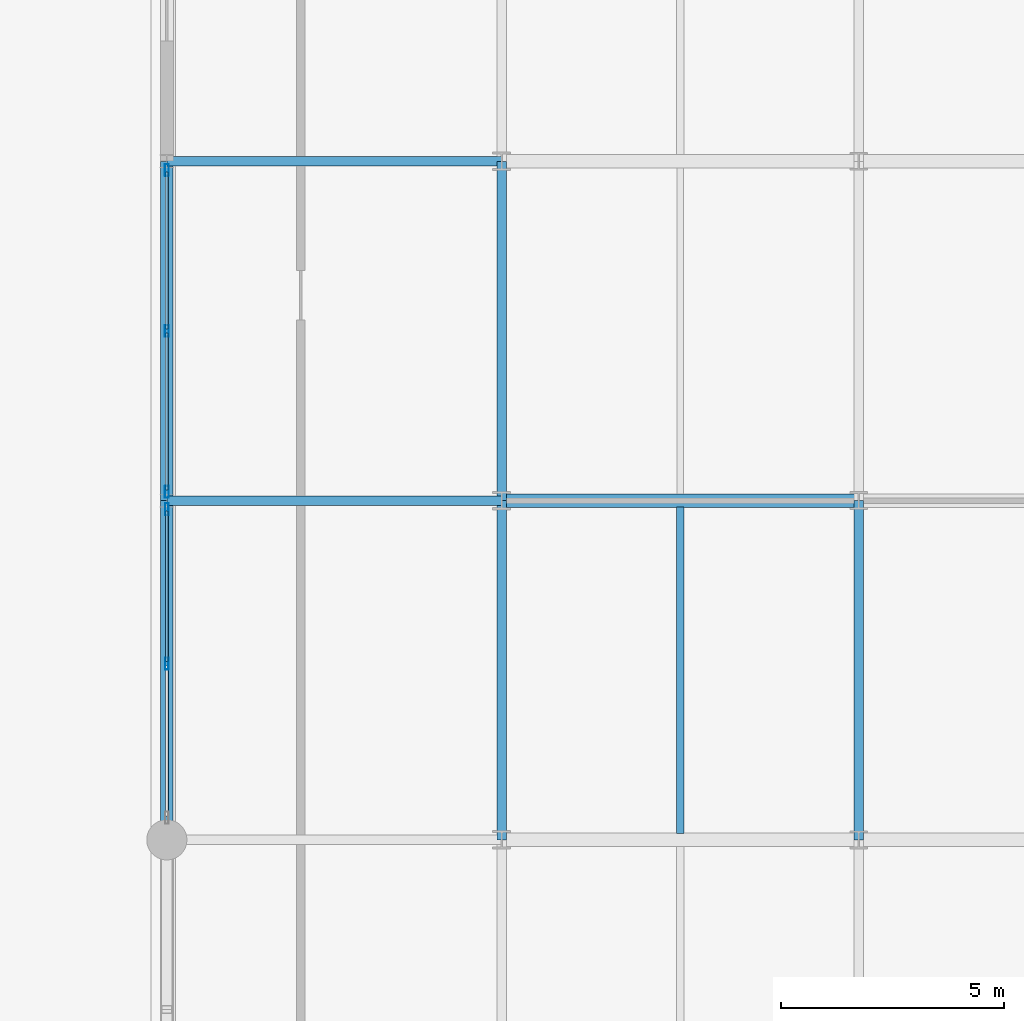
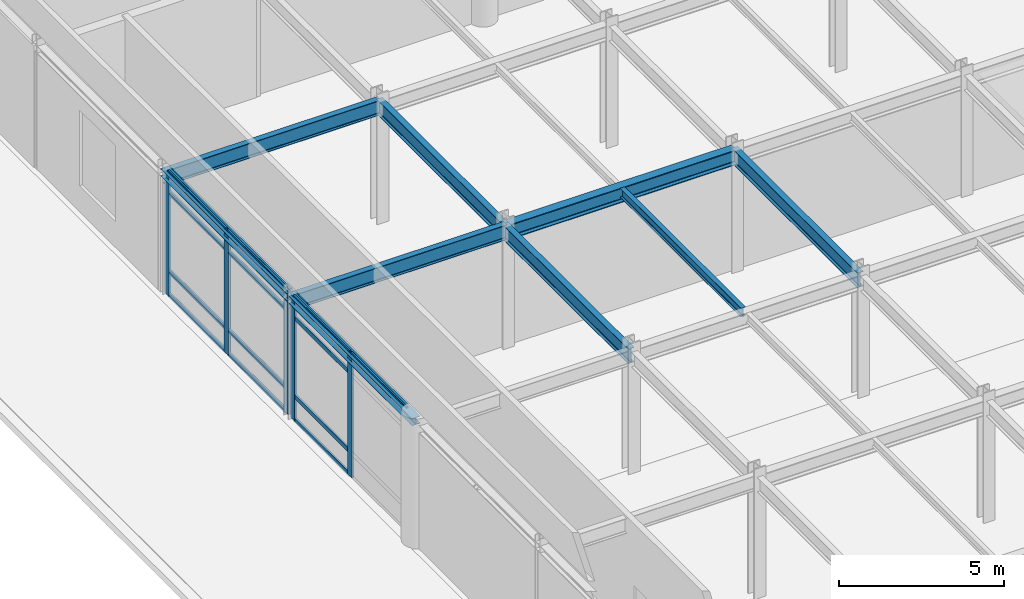
# One storey, part 15 of 43: 18 members, 9 beams, 2 elements without a shape of their own.
"""IFC4 building model written with IfcOpenShell, lengths in metres."""

from ifc_helpers import new_model, si_unit, direction, frame, origin, origin_2d, place, context, subcontext, project, spatial, hollow_rectangle, i_section, extrude, material, layer, layer_set, material_profile, profile_set, type_object, element, aggregate, save


model = new_model("IFC4")

# Units and contexts
model_context = context("Model", 3, precision=1e-05, world=origin(), true_north=direction((0.0, 1.0)))
body_context = subcontext(model_context, "Body", "Model", "MODEL_VIEW")
ifc_project = project(units=[si_unit("LENGTHUNIT", "METRE"), si_unit("AREAUNIT", "SQUARE_METRE"), si_unit("VOLUMEUNIT", "CUBIC_METRE"), si_unit("PLANEANGLEUNIT", "RADIAN"), si_unit("MASSUNIT", "GRAM", prefix="KILO")], contexts=[model_context])

# Site, building, storey
site_placement = place(None, origin())
site = spatial("IfcSite", under=ifc_project, at=site_placement, CompositionType="ELEMENT")
building_placement = place(site_placement, origin())
building = spatial("IfcBuilding", under=site, at=building_placement, Name="Shalkamar Park Central Library", CompositionType="ELEMENT")
storey_placement = place(building_placement, frame((0.0, 0.0, 15.60009765625)))
storey = spatial("IfcBuildingStorey", under=building, at=storey_placement, Name="L04", CompositionType="ELEMENT", Elevation=15.60009765625)

# Beam
ifc_material_1 = material(Name="Steel S355", Category="steel")
ifc_material_profile_1 = material_profile(ifc_material_1, i_section(OverallWidth=0.159912109375, OverallDepth=0.330078125, WebThickness=0.007568359375, FlangeThickness=0.011474609375, FilletRadius=0.01806640625, at=origin_2d()), Name="IPE 330")
ifc_profile_set_1 = profile_set([ifc_material_profile_1], Name="Steel S355")
beam_type_1 = type_object("IfcBeamType", Name="Composite Floor Joist IPE330", PredefinedType="JOIST", material=ifc_profile_set_1)
beam_1_placement = place(storey_placement, frame((169.0, 278.14794921875, 4.31494140625), z_axis=(0.0, 1.0, 0.0), x_axis=(-1.0, 0.0, 0.0)))
element("IfcBeam", 1, at=beam_1_placement, inside=storey, type_object=beam_type_1, Name="Composite Joist 07/F-1 (L04)", PredefinedType="JOIST", context=body_context, shape_type="SweptSolid", body=[
    extrude(i_section(OverallWidth=0.159912109375, OverallDepth=0.330078125, WebThickness=0.007568359375, FlangeThickness=0.011474609375, FilletRadius=0.01806640625, at=origin_2d()), origin(), (0.0, 0.0, 1.0), 7.303955078125),
])

# Curtain wall, members
ifc_material_2 = material(Name="Thermally broken aluminium and triple low-e curtain wall", Category="aluminium")
ifc_layer_1 = layer(ifc_material_2, 0.27001953125)
ifc_layer_set_1 = layer_set([ifc_layer_1], Name="UnitisedCurtainWall_63")
curtain_wall_type_1 = type_object("IfcCurtainWallType", Name="Unitised Curtain Wall 63", PredefinedType="USERDEFINED", material=ifc_layer_set_1)
curtain_wall_1_placement = place(storey_placement, origin())
curtain_wall_1 = element("IfcCurtainWall", 2, at=curtain_wall_1_placement, inside=storey, type_object=curtain_wall_type_1, Name="Unitised Curtain Wall CW-L04-078", ObjectType="UNITISED CURTAIN WALL", PredefinedType="USERDEFINED")
ifc_material_3 = material(Name="Aluminium 6060-T66", Category="aluminium")
ifc_material_profile_2 = material_profile(ifc_material_3, hollow_rectangle(XDim=0.080078125, YDim=0.27001953125, WallThickness=0.0048828125, InnerFilletRadius=0.0048828125, OuterFilletRadius=0.007568359375, at=origin_2d()), Name="ALU 80x270x5")
ifc_profile_set_2 = profile_set([ifc_material_profile_2], Name="Aluminium 6060-T66")
member_type_1 = type_object("IfcMemberType", Name="Curtain Wall Mullion ALU80x270", PredefinedType="MULLION", material=ifc_profile_set_2)
member_1_placement = place(storey_placement, frame((157.5, 281.949951171875, 0.0), z_axis=(0.0, 0.0, 1.0), x_axis=(-1.0, 0.0, 0.0)))
member_1 = element("IfcMember", 3, at=member_1_placement, type_object=member_type_1, Name="CW-63 mullion 2", PredefinedType="MULLION", context=body_context, shape_type="SweptSolid", body=[
    extrude(hollow_rectangle(XDim=0.080078125, YDim=0.27001953125, WallThickness=0.0048828125, InnerFilletRadius=0.0048828125, OuterFilletRadius=0.007568359375, at=origin_2d()), origin(), (0.0, 0.0, 1.0), 4.5498046875),
])
member_2_placement = place(storey_placement, frame((157.5, 285.406005859375, 0.0), z_axis=(0.0, 0.0, 1.0), x_axis=(-1.0, 0.0, 0.0)))
member_2 = element("IfcMember", 4, at=member_2_placement, type_object=member_type_1, Name="CW-63 mullion 3", PredefinedType="MULLION", context=body_context, shape_type="SweptSolid", body=[
    extrude(hollow_rectangle(XDim=0.080078125, YDim=0.27001953125, WallThickness=0.0048828125, InnerFilletRadius=0.0048828125, OuterFilletRadius=0.007568359375, at=origin_2d()), origin(), (0.0, 0.0, 1.0), 4.5498046875),
])

ifc_layer_2 = layer(ifc_material_2, 0.264892578125)
ifc_layer_set_2 = layer_set([ifc_layer_2], Name="UnitisedCurtainWall_64")
curtain_wall_type_2 = type_object("IfcCurtainWallType", Name="Unitised Curtain Wall 64", PredefinedType="USERDEFINED", material=ifc_layer_set_2)
curtain_wall_2_placement = place(storey_placement, origin())
curtain_wall_2 = element("IfcCurtainWall", 5, at=curtain_wall_2_placement, inside=storey, type_object=curtain_wall_type_2, Name="Unitised Curtain Wall CW-L04-079", ObjectType="UNITISED CURTAIN WALL", PredefinedType="USERDEFINED")
ifc_material_profile_3 = material_profile(ifc_material_3, hollow_rectangle(XDim=0.0849609375, YDim=0.264892578125, WallThickness=0.0048828125, InnerFilletRadius=0.0048828125, OuterFilletRadius=0.007568359375, at=origin_2d()), Name="ALU 85x265x5")
ifc_profile_set_3 = profile_set([ifc_material_profile_3], Name="Aluminium 6060-T66")
member_type_2 = type_object("IfcMemberType", Name="Curtain Wall Mullion ALU85x265", PredefinedType="MULLION", material=ifc_profile_set_3)
member_3_placement = place(storey_placement, frame((157.5, 285.79638671875, 0.0), z_axis=(0.0, 0.0, 1.0), x_axis=(-1.0, 0.0, 0.0)))
member_3 = element("IfcMember", 6, at=member_3_placement, type_object=member_type_2, Name="CW-64 mullion 1", PredefinedType="MULLION", context=body_context, shape_type="SweptSolid", body=[
    extrude(hollow_rectangle(XDim=0.0849609375, YDim=0.264892578125, WallThickness=0.0048828125, InnerFilletRadius=0.0048828125, OuterFilletRadius=0.007568359375, at=origin_2d()), origin(), (0.0, 0.0, 1.0), 4.5498046875),
])
member_4_placement = place(storey_placement, frame((157.5, 289.39990234375, 0.0), z_axis=(0.0, 0.0, 1.0), x_axis=(-1.0, 0.0, 0.0)))
member_4 = element("IfcMember", 7, at=member_4_placement, type_object=member_type_2, Name="CW-64 mullion 2", PredefinedType="MULLION", context=body_context, shape_type="SweptSolid", body=[
    extrude(hollow_rectangle(XDim=0.0849609375, YDim=0.264892578125, WallThickness=0.0048828125, InnerFilletRadius=0.0048828125, OuterFilletRadius=0.007568359375, at=origin_2d()), origin(), (0.0, 0.0, 1.0), 4.5498046875),
])
member_5_placement = place(storey_placement, frame((157.5, 293.00341796875, 0.0), z_axis=(0.0, 0.0, 1.0), x_axis=(-1.0, 0.0, 0.0)))
member_5 = element("IfcMember", 8, at=member_5_placement, type_object=member_type_2, Name="CW-64 mullion 3", PredefinedType="MULLION", context=body_context, shape_type="SweptSolid", body=[
    extrude(hollow_rectangle(XDim=0.0849609375, YDim=0.264892578125, WallThickness=0.0048828125, InnerFilletRadius=0.0048828125, OuterFilletRadius=0.007568359375, at=origin_2d()), origin(), (0.0, 0.0, 1.0), 4.5498046875),
])

# Member
ifc_material_profile_4 = material_profile(ifc_material_3, hollow_rectangle(XDim=0.06494140625, YDim=0.175048828125, WallThickness=0.00439453125, InnerFilletRadius=0.00439453125, OuterFilletRadius=0.0068359375, at=origin_2d()), Name="ALU 65x175x4.5")
ifc_profile_set_4 = profile_set([ifc_material_profile_4], Name="Aluminium 6060-T66")
member_type_3 = type_object("IfcMemberType", Name="Curtain Wall Transom ALU65x175", PredefinedType="USERDEFINED", material=ifc_profile_set_4)
member_6_placement = place(storey_placement, frame((157.5, 278.533935546875, 4.517333984375), z_axis=(0.0, 1.0, 0.0), x_axis=(-1.0, 0.0, 0.0)))
member_6 = element("IfcMember", 9, at=member_6_placement, type_object=member_type_3, Name="CW-63 transom 1.4", ObjectType="TRANSOM", PredefinedType="USERDEFINED", context=body_context, shape_type="SweptSolid", body=[
    extrude(hollow_rectangle(XDim=0.06494140625, YDim=0.175048828125, WallThickness=0.00439453125, InnerFilletRadius=0.00439453125, OuterFilletRadius=0.0068359375, at=origin_2d()), origin(), (0.0, 0.0, 1.0), 3.3759765625),
])

member_7_placement = place(storey_placement, frame((157.5, 281.989990234375, 0.032470703125), z_axis=(0.0, 1.0, 0.0), x_axis=(-1.0, 0.0, 0.0)))
member_7 = element("IfcMember", 10, at=member_7_placement, type_object=member_type_3, Name="CW-63 transom 2.1", ObjectType="TRANSOM", PredefinedType="USERDEFINED", context=body_context, shape_type="SweptSolid", body=[
    extrude(hollow_rectangle(XDim=0.06494140625, YDim=0.175048828125, WallThickness=0.00439453125, InnerFilletRadius=0.00439453125, OuterFilletRadius=0.0068359375, at=origin_2d()), origin(), (0.0, 0.0, 1.0), 3.3759765625),
])

member_8_placement = place(storey_placement, frame((157.5, 281.989990234375, 0.89990234375), z_axis=(0.0, 1.0, 0.0), x_axis=(-1.0, 0.0, 0.0)))
member_8 = element("IfcMember", 11, at=member_8_placement, type_object=member_type_3, Name="CW-63 transom 2.2", ObjectType="TRANSOM", PredefinedType="USERDEFINED", context=body_context, shape_type="SweptSolid", body=[
    extrude(hollow_rectangle(XDim=0.06494140625, YDim=0.175048828125, WallThickness=0.00439453125, InnerFilletRadius=0.00439453125, OuterFilletRadius=0.0068359375, at=origin_2d()), origin(), (0.0, 0.0, 1.0), 3.3759765625),
])

member_9_placement = place(storey_placement, frame((157.5, 281.989990234375, 3.7998046875), z_axis=(0.0, 1.0, 0.0), x_axis=(-1.0, 0.0, 0.0)))
member_9 = element("IfcMember", 12, at=member_9_placement, type_object=member_type_3, Name="CW-63 transom 2.3", ObjectType="TRANSOM", PredefinedType="USERDEFINED", context=body_context, shape_type="SweptSolid", body=[
    extrude(hollow_rectangle(XDim=0.06494140625, YDim=0.175048828125, WallThickness=0.00439453125, InnerFilletRadius=0.00439453125, OuterFilletRadius=0.0068359375, at=origin_2d()), origin(), (0.0, 0.0, 1.0), 3.3759765625),
])

member_10_placement = place(storey_placement, frame((157.5, 281.989990234375, 4.517333984375), z_axis=(0.0, 1.0, 0.0), x_axis=(-1.0, 0.0, 0.0)))
member_10 = element("IfcMember", 13, at=member_10_placement, type_object=member_type_3, Name="CW-63 transom 2.4", ObjectType="TRANSOM", PredefinedType="USERDEFINED", context=body_context, shape_type="SweptSolid", body=[
    extrude(hollow_rectangle(XDim=0.06494140625, YDim=0.175048828125, WallThickness=0.00439453125, InnerFilletRadius=0.00439453125, OuterFilletRadius=0.0068359375, at=origin_2d()), origin(), (0.0, 0.0, 1.0), 3.3759765625),
])

aggregate(curtain_wall_1, [member_1, member_2, member_6, member_7, member_8, member_9, member_10])

ifc_material_profile_5 = material_profile(ifc_material_3, hollow_rectangle(XDim=0.070068359375, YDim=0.179931640625, WallThickness=0.00439453125, InnerFilletRadius=0.00439453125, OuterFilletRadius=0.0068359375, at=origin_2d()), Name="ALU 70x180x4.5")
ifc_profile_set_5 = profile_set([ifc_material_profile_5], Name="Aluminium 6060-T66")
member_type_4 = type_object("IfcMemberType", Name="Curtain Wall Transom ALU70x180", PredefinedType="USERDEFINED", material=ifc_profile_set_5)
member_11_placement = place(storey_placement, frame((157.5, 285.839111328125, 0.034912109375), z_axis=(0.0, 1.0, 0.0), x_axis=(-1.0, 0.0, 0.0)))
member_11 = element("IfcMember", 14, at=member_11_placement, type_object=member_type_4, Name="CW-64 transom 1.1", ObjectType="TRANSOM", PredefinedType="USERDEFINED", context=body_context, shape_type="SweptSolid", body=[
    extrude(hollow_rectangle(XDim=0.070068359375, YDim=0.179931640625, WallThickness=0.00439453125, InnerFilletRadius=0.00439453125, OuterFilletRadius=0.0068359375, at=origin_2d()), origin(), (0.0, 0.0, 1.0), 3.518310546875),
])

member_12_placement = place(storey_placement, frame((157.5, 285.839111328125, 0.89990234375), z_axis=(0.0, 1.0, 0.0), x_axis=(-1.0, 0.0, 0.0)))
member_12 = element("IfcMember", 15, at=member_12_placement, type_object=member_type_4, Name="CW-64 transom 1.2", ObjectType="TRANSOM", PredefinedType="USERDEFINED", context=body_context, shape_type="SweptSolid", body=[
    extrude(hollow_rectangle(XDim=0.070068359375, YDim=0.179931640625, WallThickness=0.00439453125, InnerFilletRadius=0.00439453125, OuterFilletRadius=0.0068359375, at=origin_2d()), origin(), (0.0, 0.0, 1.0), 3.518310546875),
])

member_13_placement = place(storey_placement, frame((157.5, 285.839111328125, 3.7998046875), z_axis=(0.0, 1.0, 0.0), x_axis=(-1.0, 0.0, 0.0)))
member_13 = element("IfcMember", 16, at=member_13_placement, type_object=member_type_4, Name="CW-64 transom 1.3", ObjectType="TRANSOM", PredefinedType="USERDEFINED", context=body_context, shape_type="SweptSolid", body=[
    extrude(hollow_rectangle(XDim=0.070068359375, YDim=0.179931640625, WallThickness=0.00439453125, InnerFilletRadius=0.00439453125, OuterFilletRadius=0.0068359375, at=origin_2d()), origin(), (0.0, 0.0, 1.0), 3.518310546875),
])

member_14_placement = place(storey_placement, frame((157.5, 285.839111328125, 4.514892578125), z_axis=(0.0, 1.0, 0.0), x_axis=(-1.0, 0.0, 0.0)))
member_14 = element("IfcMember", 17, at=member_14_placement, type_object=member_type_4, Name="CW-64 transom 1.4", ObjectType="TRANSOM", PredefinedType="USERDEFINED", context=body_context, shape_type="SweptSolid", body=[
    extrude(hollow_rectangle(XDim=0.070068359375, YDim=0.179931640625, WallThickness=0.00439453125, InnerFilletRadius=0.00439453125, OuterFilletRadius=0.0068359375, at=origin_2d()), origin(), (0.0, 0.0, 1.0), 3.518310546875),
])

member_15_placement = place(storey_placement, frame((157.5, 289.4423828125, 0.034912109375), z_axis=(0.0, 1.0, 0.0), x_axis=(-1.0, 0.0, 0.0)))
member_15 = element("IfcMember", 18, at=member_15_placement, type_object=member_type_4, Name="CW-64 transom 2.1", ObjectType="TRANSOM", PredefinedType="USERDEFINED", context=body_context, shape_type="SweptSolid", body=[
    extrude(hollow_rectangle(XDim=0.070068359375, YDim=0.179931640625, WallThickness=0.00439453125, InnerFilletRadius=0.00439453125, OuterFilletRadius=0.0068359375, at=origin_2d()), origin(), (0.0, 0.0, 1.0), 3.5185546875),
])

member_16_placement = place(storey_placement, frame((157.5, 289.4423828125, 0.89990234375), z_axis=(0.0, 1.0, 0.0), x_axis=(-1.0, 0.0, 0.0)))
member_16 = element("IfcMember", 19, at=member_16_placement, type_object=member_type_4, Name="CW-64 transom 2.2", ObjectType="TRANSOM", PredefinedType="USERDEFINED", context=body_context, shape_type="SweptSolid", body=[
    extrude(hollow_rectangle(XDim=0.070068359375, YDim=0.179931640625, WallThickness=0.00439453125, InnerFilletRadius=0.00439453125, OuterFilletRadius=0.0068359375, at=origin_2d()), origin(), (0.0, 0.0, 1.0), 3.5185546875),
])

member_17_placement = place(storey_placement, frame((157.5, 289.4423828125, 3.7998046875), z_axis=(0.0, 1.0, 0.0), x_axis=(-1.0, 0.0, 0.0)))
member_17 = element("IfcMember", 20, at=member_17_placement, type_object=member_type_4, Name="CW-64 transom 2.3", ObjectType="TRANSOM", PredefinedType="USERDEFINED", context=body_context, shape_type="SweptSolid", body=[
    extrude(hollow_rectangle(XDim=0.070068359375, YDim=0.179931640625, WallThickness=0.00439453125, InnerFilletRadius=0.00439453125, OuterFilletRadius=0.0068359375, at=origin_2d()), origin(), (0.0, 0.0, 1.0), 3.5185546875),
])

member_18_placement = place(storey_placement, frame((157.5, 289.4423828125, 4.514892578125), z_axis=(0.0, 1.0, 0.0), x_axis=(-1.0, 0.0, 0.0)))
member_18 = element("IfcMember", 21, at=member_18_placement, type_object=member_type_4, Name="CW-64 transom 2.4", ObjectType="TRANSOM", PredefinedType="USERDEFINED", context=body_context, shape_type="SweptSolid", body=[
    extrude(hollow_rectangle(XDim=0.070068359375, YDim=0.179931640625, WallThickness=0.00439453125, InnerFilletRadius=0.00439453125, OuterFilletRadius=0.0068359375, at=origin_2d()), origin(), (0.0, 0.0, 1.0), 3.5185546875),
])

aggregate(curtain_wall_2, [member_3, member_4, member_5, member_11, member_12, member_13, member_14, member_15, member_16, member_17, member_18])

# Beams
ifc_material_profile_6 = material_profile(ifc_material_1, i_section(OverallWidth=0.280029296875, OverallDepth=0.27001953125, WebThickness=0.008056640625, FlangeThickness=0.012939453125, FilletRadius=0.02392578125, at=origin_2d()), Name="HEA 280")
ifc_profile_set_6 = profile_set([ifc_material_profile_6], Name="Steel S355")
beam_type_2 = type_object("IfcBeamType", Name="Perimeter Spandrel Beam HEA280", PredefinedType="SPANDREL", material=ifc_profile_set_6)
beam_2_placement = place(storey_placement, frame((157.5, 278.0, 4.414794921875), z_axis=(0.0, 1.0, 0.0), x_axis=(-1.0, 0.0, 0.0)))
element("IfcBeam", 22, at=beam_2_placement, inside=storey, type_object=beam_type_2, Name="Beam 06:F-G (L04)", PredefinedType="SPANDREL", context=body_context, shape_type="SweptSolid", body=[
    extrude(i_section(OverallWidth=0.280029296875, OverallDepth=0.27001953125, WebThickness=0.008056640625, FlangeThickness=0.012939453125, FilletRadius=0.02392578125, at=origin_2d()), origin(), (0.0, 0.0, 1.0), 7.60009765625),
])
beam_3_placement = place(storey_placement, frame((157.5, 285.60009765625, 4.414794921875), z_axis=(0.0, 1.0, 0.0), x_axis=(-1.0, 0.0, 0.0)))
element("IfcBeam", 23, at=beam_3_placement, inside=storey, type_object=beam_type_2, Name="Beam 06:G-H (L04)", PredefinedType="SPANDREL", context=body_context, shape_type="SweptSolid", body=[
    extrude(i_section(OverallWidth=0.280029296875, OverallDepth=0.27001953125, WebThickness=0.008056640625, FlangeThickness=0.012939453125, FilletRadius=0.02392578125, at=origin_2d()), origin(), (0.0, 0.0, 1.0), 7.599853515625),
])
ifc_material_profile_7 = material_profile(ifc_material_1, i_section(OverallWidth=0.300048828125, OverallDepth=0.550048828125, WebThickness=0.014892578125, FlangeThickness=0.029052734375, FilletRadius=0.027099609375, at=origin_2d()), Name="HEB 550")
ifc_profile_set_7 = profile_set([ifc_material_profile_7], Name="Steel S355")
beam_type_3 = type_object("IfcBeamType", Name="Primary Girder HEB550", PredefinedType="BEAM", material=ifc_profile_set_7)
beam_4_placement = place(storey_placement, frame((165.0, 285.60009765625, 4.204833984375), z_axis=(1.0, 0.0, 0.0), x_axis=(0.0, 1.0, 0.0)))
element("IfcBeam", 24, at=beam_4_placement, inside=storey, type_object=beam_type_3, Name="Beam G:07-08 (L04)", PredefinedType="BEAM", context=body_context, shape_type="SweptSolid", body=[
    extrude(i_section(OverallWidth=0.300048828125, OverallDepth=0.550048828125, WebThickness=0.014892578125, FlangeThickness=0.029052734375, FilletRadius=0.027099609375, at=origin_2d()), origin(), (0.0, 0.0, 1.0), 8.0),
])
ifc_material_profile_8 = material_profile(ifc_material_1, i_section(OverallWidth=0.2099609375, OverallDepth=0.550048828125, WebThickness=0.010986328125, FlangeThickness=0.01708984375, FilletRadius=0.02392578125, at=origin_2d()), Name="IPE 550")
ifc_profile_set_8 = profile_set([ifc_material_profile_8], Name="Steel S355")
beam_type_4 = type_object("IfcBeamType", Name="Primary Girder IPE550", PredefinedType="BEAM", material=ifc_profile_set_8)
for number, where, z_axis, x_axis, name in (
    (25, (157.5, 285.60009765625, 4.204833984375), (1.0, 0.0, 0.0), (0.0, 1.0, 0.0), "Beam G:06-07 (L04)"),
    (26, (157.5, 293.199951171875, 4.204833984375), (1.0, 0.0, 0.0), (0.0, 1.0, 0.0), "Beam H:06-07 (L04)"),
):
    element("IfcBeam", number, at=place(storey_placement, frame(where, z_axis=z_axis, x_axis=x_axis)), inside=storey, type_object=beam_type_4, Name=name, PredefinedType="BEAM", context=body_context, shape_type="SweptSolid", body=[
        extrude(i_section(OverallWidth=0.2099609375, OverallDepth=0.550048828125, WebThickness=0.010986328125, FlangeThickness=0.01708984375, FilletRadius=0.02392578125, at=origin_2d()), origin(), (0.0, 0.0, 1.0), 7.5),
    ])
beam_5_placement = place(storey_placement, frame((165.0, 278.0, 4.204833984375), z_axis=(0.0, 1.0, 0.0), x_axis=(-1.0, 0.0, 0.0)))
element("IfcBeam", 27, at=beam_5_placement, inside=storey, type_object=beam_type_4, Name="Beam 07:F-G (L04)", PredefinedType="BEAM", context=body_context, shape_type="SweptSolid", body=[
    extrude(i_section(OverallWidth=0.2099609375, OverallDepth=0.550048828125, WebThickness=0.010986328125, FlangeThickness=0.01708984375, FilletRadius=0.02392578125, at=origin_2d()), origin(), (0.0, 0.0, 1.0), 7.60009765625),
])
beam_6_placement = place(storey_placement, frame((165.0, 285.60009765625, 4.204833984375), z_axis=(0.0, 1.0, 0.0), x_axis=(-1.0, 0.0, 0.0)))
element("IfcBeam", 28, at=beam_6_placement, inside=storey, type_object=beam_type_4, Name="Beam 07:G-H (L04)", PredefinedType="BEAM", context=body_context, shape_type="SweptSolid", body=[
    extrude(i_section(OverallWidth=0.2099609375, OverallDepth=0.550048828125, WebThickness=0.010986328125, FlangeThickness=0.01708984375, FilletRadius=0.02392578125, at=origin_2d()), origin(), (0.0, 0.0, 1.0), 7.599853515625),
])
beam_7_placement = place(storey_placement, frame((173.0, 278.0, 4.204833984375), z_axis=(0.0, 1.0, 0.0), x_axis=(-1.0, 0.0, 0.0)))
element("IfcBeam", 29, at=beam_7_placement, inside=storey, type_object=beam_type_4, Name="Beam 08:F-G (L04)", PredefinedType="BEAM", context=body_context, shape_type="SweptSolid", body=[
    extrude(i_section(OverallWidth=0.2099609375, OverallDepth=0.550048828125, WebThickness=0.010986328125, FlangeThickness=0.01708984375, FilletRadius=0.02392578125, at=origin_2d()), origin(), (0.0, 0.0, 1.0), 7.60009765625),
])

save(model, "model.ifc")
